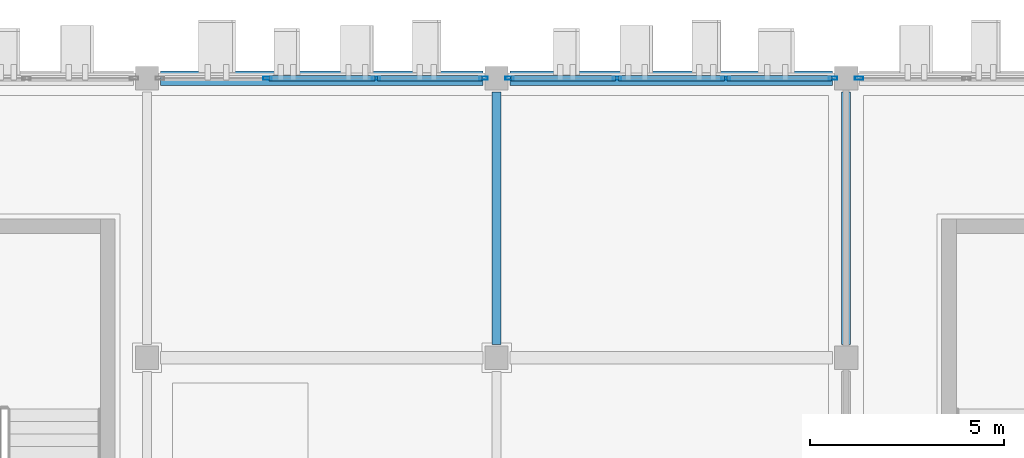
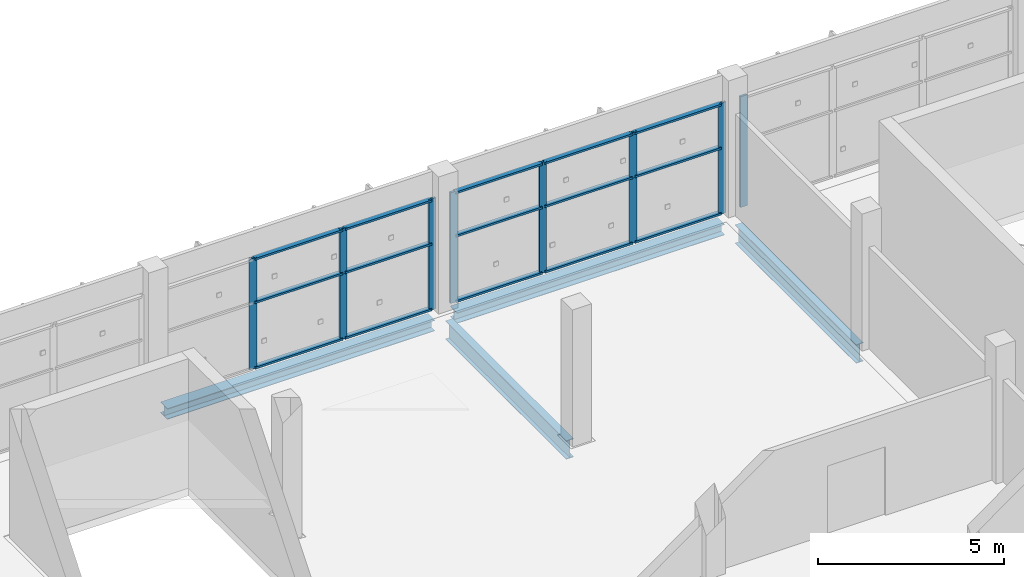
# One storey, part 66 of 124: 23 members, 4 beams, 3 elements without a shape of their own.
"""IFC4 building model written with IfcOpenShell, lengths in metres."""

from ifc_helpers import new_model, si_unit, direction, frame, origin, origin_2d, place, context, subcontext, project, spatial, hollow_rectangle, i_section, extrude, material, layer, layer_set, material_profile, profile_set, type_object, element, aggregate, save


model = new_model("IFC4")

# Units and contexts
model_context = context("Model", 3, precision=1e-05, world=origin(), true_north=direction((0.0, 1.0)))
body_context = subcontext(model_context, "Body", "Model", "MODEL_VIEW")
ifc_project = project(units=[si_unit("LENGTHUNIT", "METRE"), si_unit("AREAUNIT", "SQUARE_METRE"), si_unit("VOLUMEUNIT", "CUBIC_METRE"), si_unit("PLANEANGLEUNIT", "RADIAN"), si_unit("MASSUNIT", "GRAM", prefix="KILO")], contexts=[model_context])

# Site, building, storey
site_placement = place(None, origin())
site = spatial("IfcSite", under=ifc_project, at=site_placement, CompositionType="ELEMENT")
building_placement = place(site_placement, origin())
building = spatial("IfcBuilding", under=site, at=building_placement, Name="Celestram Park Convention Centre", CompositionType="ELEMENT")
storey_placement = place(building_placement, frame((0.0, 0.0, 15.300048828125)))
storey = spatial("IfcBuildingStorey", under=building, at=storey_placement, Name="L03", CompositionType="ELEMENT", Elevation=15.300048828125)

# Curtain wall, members
ifc_material_1 = material(Name="Anodised Aluminium Alloy 6063-T6", Category="aluminium")
ifc_layer = layer(ifc_material_1, 0.179931640625)
ifc_layer_set = layer_set([ifc_layer], Name="Anodised Aluminium Alloy 6063-T6")
curtain_wall_type = type_object("IfcCurtainWallType", Name="ARC-CW-840X364", PredefinedType="NOTDEFINED", material=ifc_layer_set)
curtain_wall_1_placement = place(storey_placement, origin())
curtain_wall_1 = element("IfcCurtainWall", 1, at=curtain_wall_1_placement, inside=storey, type_object=curtain_wall_type, Name="Unitised curtain wall CU-L03-204", PredefinedType="NOTDEFINED")
ifc_material_profile_1 = material_profile(ifc_material_1, hollow_rectangle(XDim=0.074951171875, YDim=0.219970703125, WallThickness=0.00390625, at=origin_2d()), Name="ALU75X220X4")
ifc_profile_set_1 = profile_set([ifc_material_profile_1], Name="Anodised Aluminium Alloy 6063-T6")
member_type_1 = type_object("IfcMemberType", Name="ARC-CWM-180", PredefinedType="MULLION", material=ifc_profile_set_1)
member_1_placement = place(storey_placement, frame((48.099365234375, 165.60009765625, 0.0), z_axis=(0.0, 0.0, 1.0), x_axis=(0.0, 1.0, 0.0)))
member_1 = element("IfcMember", 2, at=member_1_placement, type_object=member_type_1, Name="CW-84X36 mullion 2", PredefinedType="MULLION", context=body_context, shape_type="SweptSolid", body=[
    extrude(hollow_rectangle(XDim=0.074951171875, YDim=0.219970703125, WallThickness=0.00390625, at=origin_2d()), origin(), (0.0, 0.0, 1.0), 3.637939453125),
])
member_2_placement = place(storey_placement, frame((50.900634765625, 165.60009765625, 0.0), z_axis=(0.0, 0.0, 1.0), x_axis=(0.0, 1.0, 0.0)))
member_2 = element("IfcMember", 3, at=member_2_placement, type_object=member_type_1, Name="CW-84X36 mullion 3", PredefinedType="MULLION", context=body_context, shape_type="SweptSolid", body=[
    extrude(hollow_rectangle(XDim=0.074951171875, YDim=0.219970703125, WallThickness=0.00390625, at=origin_2d()), origin(), (0.0, 0.0, 1.0), 3.637939453125),
])
member_3_placement = place(storey_placement, frame((53.66455078125, 165.60009765625, 0.0), z_axis=(0.0, 0.0, 1.0), x_axis=(0.0, 1.0, 0.0)))
member_3 = element("IfcMember", 4, at=member_3_placement, type_object=member_type_1, Name="CW-84X36 mullion 4", PredefinedType="MULLION", context=body_context, shape_type="SweptSolid", body=[
    extrude(hollow_rectangle(XDim=0.074951171875, YDim=0.219970703125, WallThickness=0.00390625, at=origin_2d()), origin(), (0.0, 0.0, 1.0), 3.637939453125),
])

curtain_wall_2_placement = place(storey_placement, origin())
curtain_wall_2 = element("IfcCurtainWall", 5, at=curtain_wall_2_placement, inside=storey, type_object=curtain_wall_type, Name="Unitised curtain wall CU-L03-205", PredefinedType="NOTDEFINED")
member_4_placement = place(storey_placement, frame((54.33544921875, 165.60009765625, 0.0), z_axis=(0.0, 0.0, 1.0), x_axis=(0.0, 1.0, 0.0)))
member_4 = element("IfcMember", 6, at=member_4_placement, type_object=member_type_1, Name="CW-84X36 mullion 1", PredefinedType="MULLION", context=body_context, shape_type="SweptSolid", body=[
    extrude(hollow_rectangle(XDim=0.074951171875, YDim=0.219970703125, WallThickness=0.00390625, at=origin_2d()), origin(), (0.0, 0.0, 1.0), 3.637939453125),
])
member_5_placement = place(storey_placement, frame((57.099365234375, 165.60009765625, 0.0), z_axis=(0.0, 0.0, 1.0), x_axis=(0.0, 1.0, 0.0)))
member_5 = element("IfcMember", 7, at=member_5_placement, type_object=member_type_1, Name="CW-84X36 mullion 2", PredefinedType="MULLION", context=body_context, shape_type="SweptSolid", body=[
    extrude(hollow_rectangle(XDim=0.074951171875, YDim=0.219970703125, WallThickness=0.00390625, at=origin_2d()), origin(), (0.0, 0.0, 1.0), 3.637939453125),
])
member_6_placement = place(storey_placement, frame((59.900634765625, 165.60009765625, 0.0), z_axis=(0.0, 0.0, 1.0), x_axis=(0.0, 1.0, 0.0)))
member_6 = element("IfcMember", 8, at=member_6_placement, type_object=member_type_1, Name="CW-84X36 mullion 3", PredefinedType="MULLION", context=body_context, shape_type="SweptSolid", body=[
    extrude(hollow_rectangle(XDim=0.074951171875, YDim=0.219970703125, WallThickness=0.00390625, at=origin_2d()), origin(), (0.0, 0.0, 1.0), 3.637939453125),
])
member_7_placement = place(storey_placement, frame((62.66455078125, 165.60009765625, 0.0), z_axis=(0.0, 0.0, 1.0), x_axis=(0.0, 1.0, 0.0)))
member_7 = element("IfcMember", 9, at=member_7_placement, type_object=member_type_1, Name="CW-84X36 mullion 4", PredefinedType="MULLION", context=body_context, shape_type="SweptSolid", body=[
    extrude(hollow_rectangle(XDim=0.074951171875, YDim=0.219970703125, WallThickness=0.00390625, at=origin_2d()), origin(), (0.0, 0.0, 1.0), 3.637939453125),
])

# Curtain wall, member
curtain_wall_3_placement = place(storey_placement, origin())
curtain_wall_3 = element("IfcCurtainWall", 10, at=curtain_wall_3_placement, inside=storey, type_object=curtain_wall_type, Name="Unitised curtain wall CU-L03-206", PredefinedType="NOTDEFINED")
member_8_placement = place(storey_placement, frame((63.33544921875, 165.60009765625, 0.0), z_axis=(0.0, 0.0, 1.0), x_axis=(0.0, 1.0, 0.0)))
member_8 = element("IfcMember", 11, at=member_8_placement, type_object=member_type_1, Name="CW-84X36 mullion 1", PredefinedType="MULLION", context=body_context, shape_type="SweptSolid", body=[
    extrude(hollow_rectangle(XDim=0.074951171875, YDim=0.219970703125, WallThickness=0.00390625, at=origin_2d()), origin(), (0.0, 0.0, 1.0), 3.637939453125),
])
aggregate(curtain_wall_3, [member_8])

# Member
ifc_material_profile_2 = material_profile(ifc_material_1, hollow_rectangle(XDim=0.14990234375, YDim=0.06494140625, WallThickness=0.0029296875, at=origin_2d()), Name="ALU150X65X3")
ifc_profile_set_2 = profile_set([ifc_material_profile_2], Name="Anodised Aluminium Alloy 6063-T6")
member_type_2 = type_object("IfcMemberType", Name="ARC-CWT-150", PredefinedType="USERDEFINED", material=ifc_profile_set_2)
member_9_placement = place(storey_placement, frame((48.13671875, 165.60009765625, 0.032470703125), z_axis=(1.0, 0.0, 0.0), x_axis=(0.0, 1.0, 0.0)))
member_9 = element("IfcMember", 12, at=member_9_placement, type_object=member_type_2, Name="CW-84X36 transom 2.1", ObjectType="TRANSOM", PredefinedType="USERDEFINED", context=body_context, shape_type="SweptSolid", body=[
    extrude(hollow_rectangle(XDim=0.14990234375, YDim=0.06494140625, WallThickness=0.0029296875, at=origin_2d()), origin(), (0.0, 0.0, 1.0), 2.7265625),
])

member_10_placement = place(storey_placement, frame((48.13671875, 165.60009765625, 2.182861328125), z_axis=(1.0, 0.0, 0.0), x_axis=(0.0, 1.0, 0.0)))
member_10 = element("IfcMember", 13, at=member_10_placement, type_object=member_type_2, Name="CW-84X36 transom 2.2", ObjectType="TRANSOM", PredefinedType="USERDEFINED", context=body_context, shape_type="SweptSolid", body=[
    extrude(hollow_rectangle(XDim=0.14990234375, YDim=0.06494140625, WallThickness=0.0029296875, at=origin_2d()), origin(), (0.0, 0.0, 1.0), 2.7265625),
])

member_11_placement = place(storey_placement, frame((48.13671875, 165.60009765625, 3.60546875), z_axis=(1.0, 0.0, 0.0), x_axis=(0.0, 1.0, 0.0)))
member_11 = element("IfcMember", 14, at=member_11_placement, type_object=member_type_2, Name="CW-84X36 transom 2.3", ObjectType="TRANSOM", PredefinedType="USERDEFINED", context=body_context, shape_type="SweptSolid", body=[
    extrude(hollow_rectangle(XDim=0.14990234375, YDim=0.06494140625, WallThickness=0.0029296875, at=origin_2d()), origin(), (0.0, 0.0, 1.0), 2.7265625),
])

member_12_placement = place(storey_placement, frame((50.938232421875, 165.60009765625, 0.032470703125), z_axis=(1.0, 0.0, 0.0), x_axis=(0.0, 1.0, 0.0)))
member_12 = element("IfcMember", 15, at=member_12_placement, type_object=member_type_2, Name="CW-84X36 transom 3.1", ObjectType="TRANSOM", PredefinedType="USERDEFINED", context=body_context, shape_type="SweptSolid", body=[
    extrude(hollow_rectangle(XDim=0.14990234375, YDim=0.06494140625, WallThickness=0.0029296875, at=origin_2d()), origin(), (0.0, 0.0, 1.0), 2.688720703125),
])

member_13_placement = place(storey_placement, frame((50.938232421875, 165.60009765625, 2.182861328125), z_axis=(1.0, 0.0, 0.0), x_axis=(0.0, 1.0, 0.0)))
member_13 = element("IfcMember", 16, at=member_13_placement, type_object=member_type_2, Name="CW-84X36 transom 3.2", ObjectType="TRANSOM", PredefinedType="USERDEFINED", context=body_context, shape_type="SweptSolid", body=[
    extrude(hollow_rectangle(XDim=0.14990234375, YDim=0.06494140625, WallThickness=0.0029296875, at=origin_2d()), origin(), (0.0, 0.0, 1.0), 2.688720703125),
])

member_14_placement = place(storey_placement, frame((50.938232421875, 165.60009765625, 3.60546875), z_axis=(1.0, 0.0, 0.0), x_axis=(0.0, 1.0, 0.0)))
member_14 = element("IfcMember", 17, at=member_14_placement, type_object=member_type_2, Name="CW-84X36 transom 3.3", ObjectType="TRANSOM", PredefinedType="USERDEFINED", context=body_context, shape_type="SweptSolid", body=[
    extrude(hollow_rectangle(XDim=0.14990234375, YDim=0.06494140625, WallThickness=0.0029296875, at=origin_2d()), origin(), (0.0, 0.0, 1.0), 2.688720703125),
])

aggregate(curtain_wall_1, [member_1, member_2, member_3, member_9, member_10, member_11, member_12, member_13, member_14])

member_15_placement = place(storey_placement, frame((54.373046875, 165.60009765625, 0.032470703125), z_axis=(1.0, 0.0, 0.0), x_axis=(0.0, 1.0, 0.0)))
member_15 = element("IfcMember", 18, at=member_15_placement, type_object=member_type_2, Name="CW-84X36 transom 1.1", ObjectType="TRANSOM", PredefinedType="USERDEFINED", context=body_context, shape_type="SweptSolid", body=[
    extrude(hollow_rectangle(XDim=0.14990234375, YDim=0.06494140625, WallThickness=0.0029296875, at=origin_2d()), origin(), (0.0, 0.0, 1.0), 2.688720703125),
])

member_16_placement = place(storey_placement, frame((54.373046875, 165.60009765625, 2.182861328125), z_axis=(1.0, 0.0, 0.0), x_axis=(0.0, 1.0, 0.0)))
member_16 = element("IfcMember", 19, at=member_16_placement, type_object=member_type_2, Name="CW-84X36 transom 1.2", ObjectType="TRANSOM", PredefinedType="USERDEFINED", context=body_context, shape_type="SweptSolid", body=[
    extrude(hollow_rectangle(XDim=0.14990234375, YDim=0.06494140625, WallThickness=0.0029296875, at=origin_2d()), origin(), (0.0, 0.0, 1.0), 2.688720703125),
])

member_17_placement = place(storey_placement, frame((54.373046875, 165.60009765625, 3.60546875), z_axis=(1.0, 0.0, 0.0), x_axis=(0.0, 1.0, 0.0)))
member_17 = element("IfcMember", 20, at=member_17_placement, type_object=member_type_2, Name="CW-84X36 transom 1.3", ObjectType="TRANSOM", PredefinedType="USERDEFINED", context=body_context, shape_type="SweptSolid", body=[
    extrude(hollow_rectangle(XDim=0.14990234375, YDim=0.06494140625, WallThickness=0.0029296875, at=origin_2d()), origin(), (0.0, 0.0, 1.0), 2.688720703125),
])

member_18_placement = place(storey_placement, frame((57.13671875, 165.60009765625, 0.032470703125), z_axis=(1.0, 0.0, 0.0), x_axis=(0.0, 1.0, 0.0)))
member_18 = element("IfcMember", 21, at=member_18_placement, type_object=member_type_2, Name="CW-84X36 transom 2.1", ObjectType="TRANSOM", PredefinedType="USERDEFINED", context=body_context, shape_type="SweptSolid", body=[
    extrude(hollow_rectangle(XDim=0.14990234375, YDim=0.06494140625, WallThickness=0.0029296875, at=origin_2d()), origin(), (0.0, 0.0, 1.0), 2.7265625),
])

member_19_placement = place(storey_placement, frame((57.13671875, 165.60009765625, 2.182861328125), z_axis=(1.0, 0.0, 0.0), x_axis=(0.0, 1.0, 0.0)))
member_19 = element("IfcMember", 22, at=member_19_placement, type_object=member_type_2, Name="CW-84X36 transom 2.2", ObjectType="TRANSOM", PredefinedType="USERDEFINED", context=body_context, shape_type="SweptSolid", body=[
    extrude(hollow_rectangle(XDim=0.14990234375, YDim=0.06494140625, WallThickness=0.0029296875, at=origin_2d()), origin(), (0.0, 0.0, 1.0), 2.7265625),
])

member_20_placement = place(storey_placement, frame((57.13671875, 165.60009765625, 3.60546875), z_axis=(1.0, 0.0, 0.0), x_axis=(0.0, 1.0, 0.0)))
member_20 = element("IfcMember", 23, at=member_20_placement, type_object=member_type_2, Name="CW-84X36 transom 2.3", ObjectType="TRANSOM", PredefinedType="USERDEFINED", context=body_context, shape_type="SweptSolid", body=[
    extrude(hollow_rectangle(XDim=0.14990234375, YDim=0.06494140625, WallThickness=0.0029296875, at=origin_2d()), origin(), (0.0, 0.0, 1.0), 2.7265625),
])

member_21_placement = place(storey_placement, frame((59.938232421875, 165.60009765625, 0.032470703125), z_axis=(1.0, 0.0, 0.0), x_axis=(0.0, 1.0, 0.0)))
member_21 = element("IfcMember", 24, at=member_21_placement, type_object=member_type_2, Name="CW-84X36 transom 3.1", ObjectType="TRANSOM", PredefinedType="USERDEFINED", context=body_context, shape_type="SweptSolid", body=[
    extrude(hollow_rectangle(XDim=0.14990234375, YDim=0.06494140625, WallThickness=0.0029296875, at=origin_2d()), origin(), (0.0, 0.0, 1.0), 2.688720703125),
])

member_22_placement = place(storey_placement, frame((59.938232421875, 165.60009765625, 2.182861328125), z_axis=(1.0, 0.0, 0.0), x_axis=(0.0, 1.0, 0.0)))
member_22 = element("IfcMember", 25, at=member_22_placement, type_object=member_type_2, Name="CW-84X36 transom 3.2", ObjectType="TRANSOM", PredefinedType="USERDEFINED", context=body_context, shape_type="SweptSolid", body=[
    extrude(hollow_rectangle(XDim=0.14990234375, YDim=0.06494140625, WallThickness=0.0029296875, at=origin_2d()), origin(), (0.0, 0.0, 1.0), 2.688720703125),
])

member_23_placement = place(storey_placement, frame((59.938232421875, 165.60009765625, 3.60546875), z_axis=(1.0, 0.0, 0.0), x_axis=(0.0, 1.0, 0.0)))
member_23 = element("IfcMember", 26, at=member_23_placement, type_object=member_type_2, Name="CW-84X36 transom 3.3", ObjectType="TRANSOM", PredefinedType="USERDEFINED", context=body_context, shape_type="SweptSolid", body=[
    extrude(hollow_rectangle(XDim=0.14990234375, YDim=0.06494140625, WallThickness=0.0029296875, at=origin_2d()), origin(), (0.0, 0.0, 1.0), 2.688720703125),
])

aggregate(curtain_wall_2, [member_4, member_5, member_6, member_7, member_15, member_16, member_17, member_18, member_19, member_20, member_21, member_22, member_23])

# Beams
ifc_material_2 = material(Name="Steel ASTM A992 Grade 50", Category="steel")
ifc_material_profile_3 = material_profile(ifc_material_2, i_section(OverallWidth=0.22900390625, OverallDepth=0.612060546875, WebThickness=0.011962890625, FlangeThickness=0.01953125, at=origin_2d()), Name="W24X84")
ifc_profile_set_3 = profile_set([ifc_material_profile_3], Name="Steel ASTM A992 Grade 50")
beam_type_1 = type_object("IfcBeamType", Name="STR-BM-W24X84", PredefinedType="BEAM", material=ifc_profile_set_3)
for number, where, z_axis, x_axis, name in (
    (27, (54.0, 158.748046875, -0.55615234375), (0.0, 1.0, 0.0), (-1.0, 0.0, 0.0), "Primary Y-girder BG-L03-0043"),
    (28, (63.0, 158.748046875, -0.55615234375), (0.0, 1.0, 0.0), (-1.0, 0.0, 0.0), "Primary Y-girder BG-L03-0055"),
):
    element("IfcBeam", number, at=place(storey_placement, frame(where, z_axis=z_axis, x_axis=x_axis)), inside=storey, type_object=beam_type_1, Name=name, PredefinedType="BEAM", context=body_context, shape_type="SweptSolid", body=[
        extrude(i_section(OverallWidth=0.22900390625, OverallDepth=0.612060546875, WebThickness=0.011962890625, FlangeThickness=0.01953125, at=origin_2d()), origin(), (0.0, 0.0, 1.0), 6.50390625),
    ])
ifc_material_profile_4 = material_profile(ifc_material_2, i_section(OverallWidth=0.367919921875, OverallDepth=0.35595703125, WebThickness=0.01123046875, FlangeThickness=0.01806640625, at=origin_2d()), Name="W14X90")
ifc_profile_set_4 = profile_set([ifc_material_profile_4], Name="Steel ASTM A992 Grade 50")
beam_type_2 = type_object("IfcBeamType", Name="STR-SPN-W14X90", PredefinedType="SPANDREL", material=ifc_profile_set_4)
for number, where, z_axis, x_axis, name in (
    (29, (45.347900390625, 165.60009765625, -0.427978515625), (1.0, 0.0, 0.0), (0.0, 1.0, 0.0), "Primary X-girder BG-L03-0030"),
    (30, (54.347900390625, 165.60009765625, -0.427978515625), (1.0, 0.0, 0.0), (0.0, 1.0, 0.0), "Primary X-girder BG-L03-0044"),
):
    element("IfcBeam", number, at=place(storey_placement, frame(where, z_axis=z_axis, x_axis=x_axis)), inside=storey, type_object=beam_type_2, Name=name, PredefinedType="SPANDREL", context=body_context, shape_type="SweptSolid", body=[
        extrude(i_section(OverallWidth=0.367919921875, OverallDepth=0.35595703125, WebThickness=0.01123046875, FlangeThickness=0.01806640625, at=origin_2d()), origin(), (0.0, 0.0, 1.0), 8.30419921875),
    ])

save(model, "model.ifc")
